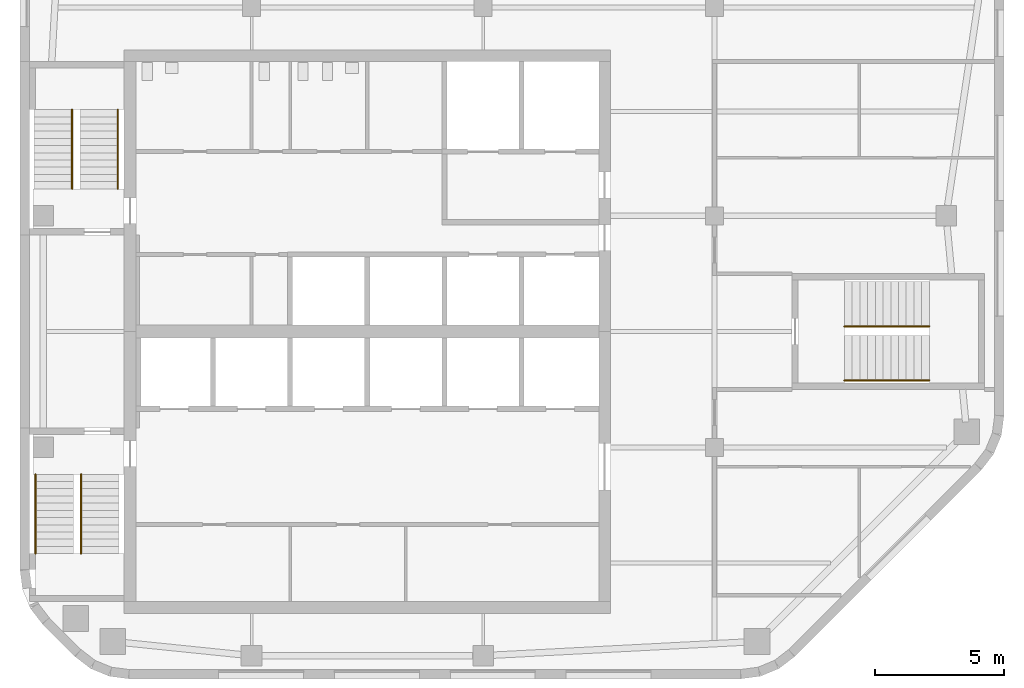
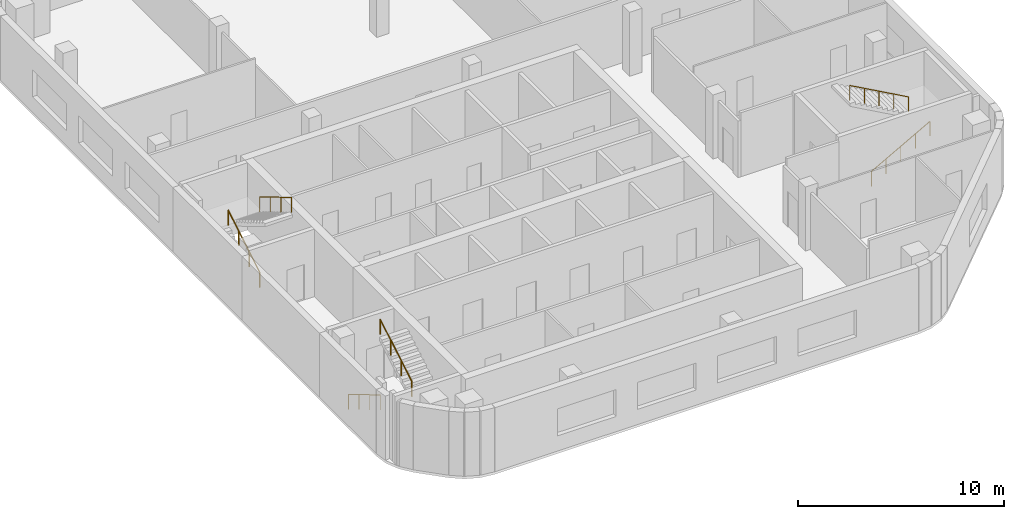
# One storey, part 6 of 7: 6 railings, 3 elements without a shape of their own.
"""IFC4 building model written with IfcOpenShell, lengths in metres."""

from ifc_helpers import new_model, si_unit, direction, frame, origin, origin_2d, place, context, subcontext, project, spatial, circle, extrude, material, type_object, element, aggregate, save


model = new_model("IFC4")

# Units and contexts
model_context = context("Model", 3, precision=1e-05, world=origin(), true_north=direction((0.0, 1.0)))
body_context = subcontext(model_context, "Body", "Model", "MODEL_VIEW")
ifc_project = project(units=[si_unit("LENGTHUNIT", "METRE"), si_unit("AREAUNIT", "SQUARE_METRE"), si_unit("VOLUMEUNIT", "CUBIC_METRE"), si_unit("PLANEANGLEUNIT", "RADIAN"), si_unit("MASSUNIT", "GRAM", prefix="KILO")], contexts=[model_context])

# Site, building, storey
site_placement = place(None, origin())
site = spatial("IfcSite", under=ifc_project, at=site_placement, CompositionType="ELEMENT")
building_placement = place(site_placement, origin())
building = spatial("IfcBuilding", under=site, at=building_placement, Name="Cinnabar Reach Civic Tower", CompositionType="ELEMENT")
storey_placement = place(building_placement, frame((0.0, 0.0, 279.0)))
storey = spatial("IfcBuildingStorey", under=building, at=storey_placement, Name="L67", CompositionType="ELEMENT", Elevation=279.0)

# Stair, railings
ifc_material_1 = material(Name="Concrete C40/50", Category="concrete")
stair_type = type_object("IfcStairType", Name="T1 Exit stair, half-turn", PredefinedType="HALF_TURN_STAIR", material=ifc_material_1)
stair_1_placement = place(storey_placement, origin())
stair_1 = element("IfcStair", 1, at=stair_1_placement, inside=storey, type_object=stair_type, Name="Stair T1-S1", PredefinedType="HALF_TURN_STAIR")
ifc_material_2 = material(Name="Stainless steel tube", Category="steel")
railing_type = type_object("IfcRailingType", Name="T1 Stair handrail, stainless tube 48", PredefinedType="HANDRAIL", material=ifc_material_2)
railing_1_placement = place(storey_placement, frame((0.6, 25.95, 0.1667)))
railing_1 = element("IfcRailing", 2, at=railing_1_placement, type_object=railing_type, Name="T1-S1 handrail 1", PredefinedType="HANDRAIL", context=body_context, shape_type="SweptSolid", body=[
    extrude(circle(Radius=0.024, at=origin_2d()), frame((0.0, 0.0, 0.876), z_axis=(0.0, -0.859296971757, 0.511476992962), x_axis=(1.0, 0.0, 0.0)), (0.0, 0.0, 1.0), 3.5843),
    extrude(circle(Radius=0.021, at=origin_2d()), origin(), (0.0, 0.0, 1.0), 0.852),
    extrude(circle(Radius=0.021, at=origin_2d()), frame((0.0, -1.0267, 0.6111)), (0.0, 0.0, 1.0), 0.852),
    extrude(circle(Radius=0.021, at=origin_2d()), frame((0.0, -2.0533, 1.2222)), (0.0, 0.0, 1.0), 0.852),
    extrude(circle(Radius=0.021, at=origin_2d()), frame((0.0, -3.08, 1.8333)), (0.0, 0.0, 1.0), 0.852),
])
railing_2_placement = place(storey_placement, frame((2.375, 22.87, 2.1667)))
railing_2 = element("IfcRailing", 3, at=railing_2_placement, type_object=railing_type, Name="T1-S1 handrail 2", PredefinedType="HANDRAIL", context=body_context, shape_type="SweptSolid", body=[
    extrude(circle(Radius=0.024, at=origin_2d()), frame((0.0, 0.0, 0.876), z_axis=(0.0, 0.859296971757, 0.511476992962), x_axis=(-1.0, 0.0, 0.0)), (0.0, 0.0, 1.0), 3.5843),
    extrude(circle(Radius=0.021, at=origin_2d()), origin(), (0.0, 0.0, 1.0), 0.852),
    extrude(circle(Radius=0.021, at=origin_2d()), frame((0.0, 1.0267, 0.6111)), (0.0, 0.0, 1.0), 0.852),
    extrude(circle(Radius=0.021, at=origin_2d()), frame((0.0, 2.0533, 1.2222)), (0.0, 0.0, 1.0), 0.852),
    extrude(circle(Radius=0.021, at=origin_2d()), frame((0.0, 3.08, 1.8333)), (0.0, 0.0, 1.0), 0.852),
])
aggregate(stair_1, [railing_1, railing_2])

stair_2_placement = place(storey_placement, origin())
stair_2 = element("IfcStair", 4, at=stair_2_placement, inside=storey, type_object=stair_type, Name="Stair T1-S2", PredefinedType="HALF_TURN_STAIR")
railing_3_placement = place(storey_placement, frame((2.025, 37.05, 0.1667)))
railing_3 = element("IfcRailing", 5, at=railing_3_placement, type_object=railing_type, Name="T1-S2 handrail 1", PredefinedType="HANDRAIL", context=body_context, shape_type="SweptSolid", body=[
    extrude(circle(Radius=0.024, at=origin_2d()), frame((0.0, 0.0, 0.876), z_axis=(0.0, 0.859296971757, 0.511476992962), x_axis=(-1.0, 0.0, 0.0)), (0.0, 0.0, 1.0), 3.5843),
    extrude(circle(Radius=0.021, at=origin_2d()), origin(), (0.0, 0.0, 1.0), 0.852),
    extrude(circle(Radius=0.021, at=origin_2d()), frame((0.0, 1.0267, 0.6111)), (0.0, 0.0, 1.0), 0.852),
    extrude(circle(Radius=0.021, at=origin_2d()), frame((0.0, 2.0533, 1.2222)), (0.0, 0.0, 1.0), 0.852),
    extrude(circle(Radius=0.021, at=origin_2d()), frame((0.0, 3.08, 1.8333)), (0.0, 0.0, 1.0), 0.852),
])
railing_4_placement = place(storey_placement, frame((3.8, 40.13, 2.1667)))
railing_4 = element("IfcRailing", 6, at=railing_4_placement, type_object=railing_type, Name="T1-S2 handrail 2", PredefinedType="HANDRAIL", context=body_context, shape_type="SweptSolid", body=[
    extrude(circle(Radius=0.024, at=origin_2d()), frame((0.0, 0.0, 0.876), z_axis=(0.0, -0.859296971757, 0.511476992962), x_axis=(1.0, 0.0, 0.0)), (0.0, 0.0, 1.0), 3.5843),
    extrude(circle(Radius=0.021, at=origin_2d()), origin(), (0.0, 0.0, 1.0), 0.852),
    extrude(circle(Radius=0.021, at=origin_2d()), frame((0.0, -1.0267, 0.6111)), (0.0, 0.0, 1.0), 0.852),
    extrude(circle(Radius=0.021, at=origin_2d()), frame((0.0, -2.0533, 1.2222)), (0.0, 0.0, 1.0), 0.852),
    extrude(circle(Radius=0.021, at=origin_2d()), frame((0.0, -3.08, 1.8333)), (0.0, 0.0, 1.0), 0.852),
])
aggregate(stair_2, [railing_3, railing_4])

stair_3_placement = place(storey_placement, origin())
stair_3 = element("IfcStair", 7, at=stair_3_placement, inside=storey, type_object=stair_type, Name="Stair T1-S3", PredefinedType="HALF_TURN_STAIR")
railing_5_placement = place(storey_placement, frame((32.05, 29.6, 0.1667)))
railing_5 = element("IfcRailing", 8, at=railing_5_placement, type_object=railing_type, Name="T1-S3 handrail 1", PredefinedType="HANDRAIL", context=body_context, shape_type="SweptSolid", body=[
    extrude(circle(Radius=0.024, at=origin_2d()), frame((0.0, 0.0, 0.876), z_axis=(0.874161024642, 0.0, 0.485636183781), x_axis=(0.0, 1.0, 0.0)), (0.0, 0.0, 1.0), 3.775),
    extrude(circle(Radius=0.021, at=origin_2d()), origin(), (0.0, 0.0, 1.0), 0.852),
    extrude(circle(Radius=0.021, at=origin_2d()), frame((0.825, 0.0, 0.4583)), (0.0, 0.0, 1.0), 0.852),
    extrude(circle(Radius=0.021, at=origin_2d()), frame((1.65, 0.0, 0.9167)), (0.0, 0.0, 1.0), 0.852),
    extrude(circle(Radius=0.021, at=origin_2d()), frame((2.475, 0.0, 1.375)), (0.0, 0.0, 1.0), 0.852),
    extrude(circle(Radius=0.021, at=origin_2d()), frame((3.3, 0.0, 1.8333)), (0.0, 0.0, 1.0), 0.852),
])
railing_6_placement = place(storey_placement, frame((35.35, 31.7, 2.1667)))
railing_6 = element("IfcRailing", 9, at=railing_6_placement, type_object=railing_type, Name="T1-S3 handrail 2", PredefinedType="HANDRAIL", context=body_context, shape_type="SweptSolid", body=[
    extrude(circle(Radius=0.024, at=origin_2d()), frame((0.0, 0.0, 0.876), z_axis=(-0.874161024642, 0.0, 0.485636183781), x_axis=(0.0, -1.0, 0.0)), (0.0, 0.0, 1.0), 3.775),
    extrude(circle(Radius=0.021, at=origin_2d()), origin(), (0.0, 0.0, 1.0), 0.852),
    extrude(circle(Radius=0.021, at=origin_2d()), frame((-0.825, 0.0, 0.4583)), (0.0, 0.0, 1.0), 0.852),
    extrude(circle(Radius=0.021, at=origin_2d()), frame((-1.65, 0.0, 0.9167)), (0.0, 0.0, 1.0), 0.852),
    extrude(circle(Radius=0.021, at=origin_2d()), frame((-2.475, 0.0, 1.375)), (0.0, 0.0, 1.0), 0.852),
    extrude(circle(Radius=0.021, at=origin_2d()), frame((-3.3, 0.0, 1.8333)), (0.0, 0.0, 1.0), 0.852),
])
aggregate(stair_3, [railing_5, railing_6])

save(model, "model.ifc")
